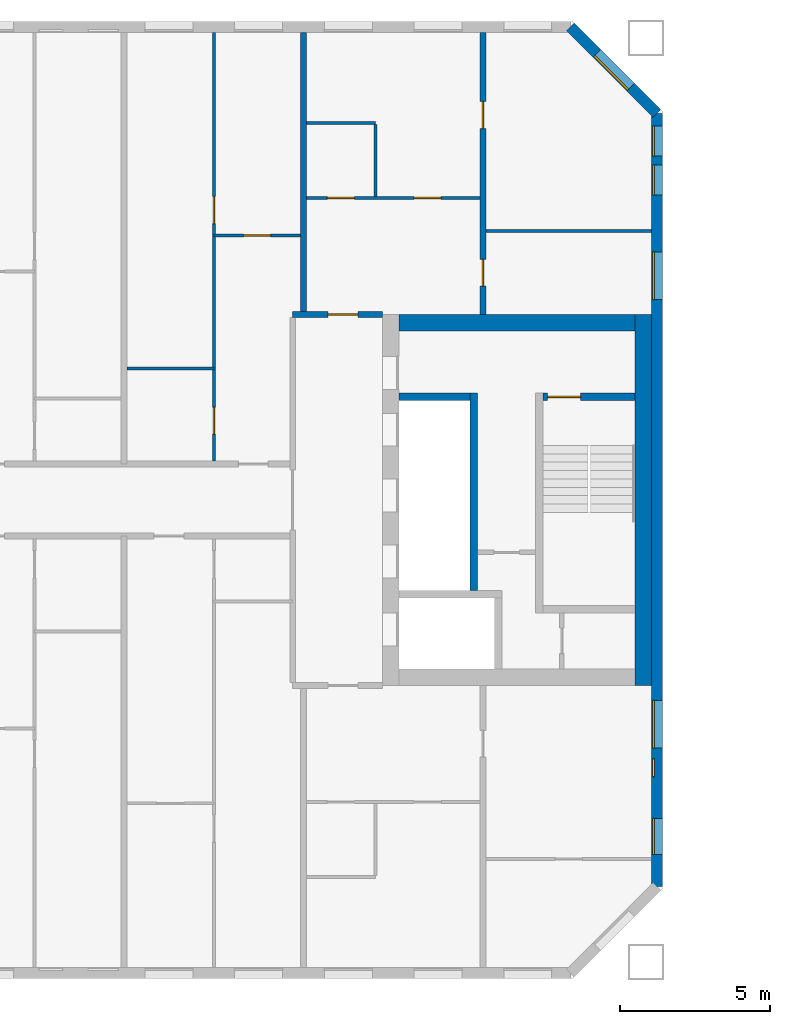
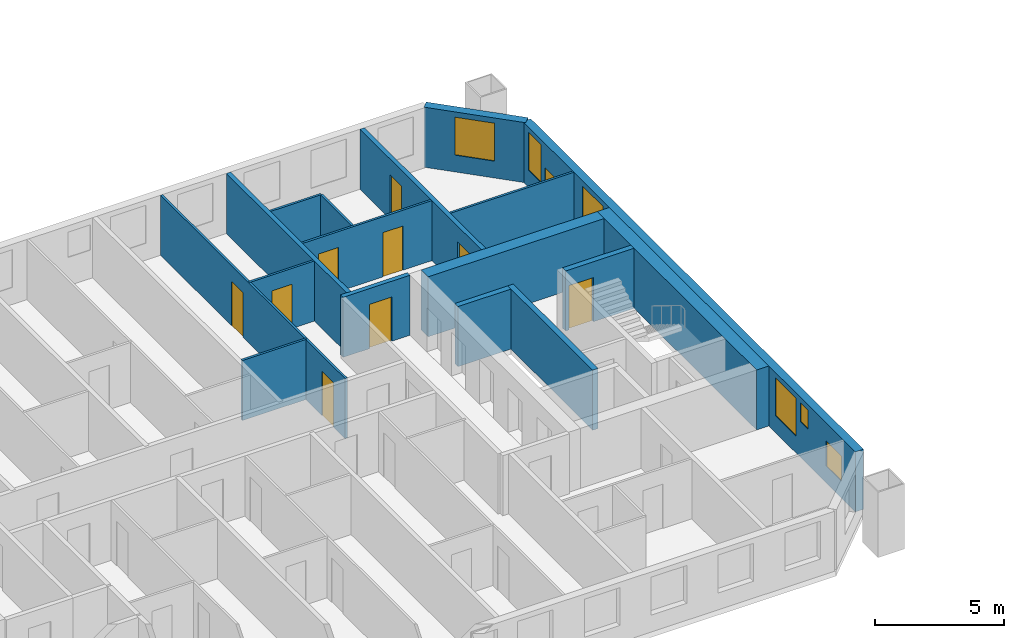
# One storey, part 8 of 16: 17 walls, 9 doors, 7 windows, 16 openings.
"""IFC4 building model written with IfcOpenShell, lengths in metres."""

from ifc_helpers import new_model, si_unit, direction, frame, frame_2d, origin, place, context, subcontext, project, spatial, rectangle, extrude, material, layer, layer_set, type_object, element, fill, save


model = new_model("IFC4")

# Units and contexts
model_context = context("Model", 3, precision=1e-05, world=origin(), true_north=direction((0.0, 1.0)))
body_context = subcontext(model_context, "Body", "Model", "MODEL_VIEW")
ifc_project = project(units=[si_unit("LENGTHUNIT", "METRE"), si_unit("AREAUNIT", "SQUARE_METRE"), si_unit("VOLUMEUNIT", "CUBIC_METRE"), si_unit("PLANEANGLEUNIT", "RADIAN"), si_unit("MASSUNIT", "GRAM", prefix="KILO")], contexts=[model_context])

# Site, building, storey
site_placement = place(None, origin())
site = spatial("IfcSite", under=ifc_project, at=site_placement, CompositionType="ELEMENT")
building_placement = place(site_placement, origin())
building = spatial("IfcBuilding", under=site, at=building_placement, Name="Tuart Gate Housing", CompositionType="ELEMENT")
storey_placement = place(building_placement, frame((0.0, 0.0, 136.10009765625)))
storey = spatial("IfcBuildingStorey", under=building, at=storey_placement, Name="L38", CompositionType="ELEMENT", Elevation=136.10009765625)

# Wall, openings, windows
ifc_material_1 = material(Name="Brick", Category="masonry")
ifc_layer_1 = layer(ifc_material_1, 0.360107421875)
ifc_layer_set_1 = layer_set([ifc_layer_1], Name="Brick pier and spandrel wall 360")
wall_type_1 = type_object("IfcWallType", Name="Brick pier and spandrel wall 360", PredefinedType="STANDARD", material=ifc_layer_set_1)
wall_1_placement = place(storey_placement, frame((75.820068359375, 57.07470703125, 0.0), z_axis=(0.0, 0.0, 1.0), x_axis=(0.0, 1.0, 0.0)))
wall_1 = element("IfcWall", 1, at=wall_1_placement, inside=storey, type_object=wall_type_1, Name="External wall A-E L38", PredefinedType="STANDARD", context=body_context, shape_type="SweptSolid", body=[
    extrude(rectangle(XDim=25.850830078125, YDim=0.360107421875, at=frame_2d((12.92529296875, 0.0))), origin(), (0.0, 0.0, 1.0), 2.849853515625),
])
opening_1_placement = place(wall_1_placement, frame((1.075439453125, 0.0, 0.800048828125)))
opening_1 = element("IfcOpeningElement", 2, at=opening_1_placement, cuts=wall_1, Name="Opening W1N", PredefinedType="OPENING", context=body_context, shape_type="SweptSolid", body=[
    extrude(rectangle(XDim=1.199951171875, YDim=1.199951171875, at=frame_2d((0.60009765625, 0.60009765625))), frame((0.0, 0.18994140625, 0.0), z_axis=(0.0, -1.0, 0.0), x_axis=(1.0, 0.0, 0.0)), (0.0, 0.0, 1.0), 0.380126953125),
])
opening_2_placement = place(wall_1_placement, frame((4.62548828125, 0.0, 0.800048828125)))
opening_2 = element("IfcOpeningElement", 3, at=opening_2_placement, cuts=wall_1, Name="Opening W1", PredefinedType="OPENING", context=body_context, shape_type="SweptSolid", body=[
    extrude(rectangle(XDim=1.60009765625, YDim=1.800048828125, at=frame_2d((0.800048828125, 0.89990234375))), frame((0.0, 0.18994140625, 0.0), z_axis=(0.0, -1.0, 0.0), x_axis=(1.0, 0.0, 0.0)), (0.0, 0.0, 1.0), 0.380126953125),
])
opening_3_placement = place(wall_1_placement, frame((19.62548828125, 0.0, 0.800048828125)))
opening_3 = element("IfcOpeningElement", 4, at=opening_3_placement, cuts=wall_1, Name="Opening W1", PredefinedType="OPENING", context=body_context, shape_type="SweptSolid", body=[
    extrude(rectangle(XDim=1.60009765625, YDim=1.800048828125, at=frame_2d((0.800048828125, 0.89990234375))), frame((0.0, 0.18994140625, 0.0), z_axis=(0.0, -1.0, 0.0), x_axis=(1.0, 0.0, 0.0)), (0.0, 0.0, 1.0), 0.380126953125),
])
opening_4_placement = place(wall_1_placement, frame((23.12548828125, 0.0, 0.800048828125)))
opening_4 = element("IfcOpeningElement", 5, at=opening_4_placement, cuts=wall_1, Name="Opening W1U", PredefinedType="OPENING", context=body_context, shape_type="SweptSolid", body=[
    extrude(rectangle(XDim=1.0, YDim=0.89990234375, at=frame_2d((0.5, 0.449951171875))), frame((0.0, 0.18994140625, 0.0), z_axis=(0.0, -1.0, 0.0), x_axis=(1.0, 0.0, 0.0)), (0.0, 0.0, 1.0), 0.380126953125),
])
opening_5_placement = place(wall_1_placement, frame((3.67529296875, 0.0, 1.699951171875)))
opening_5 = element("IfcOpeningElement", 6, at=opening_5_placement, cuts=wall_1, Name="Opening W1W", PredefinedType="OPENING", context=body_context, shape_type="SweptSolid", body=[
    extrude(rectangle(XDim=0.60009765625, YDim=0.89990234375, at=frame_2d((0.300048828125, 0.449951171875))), frame((0.0, 0.18994140625, 0.0), z_axis=(0.0, -1.0, 0.0), x_axis=(1.0, 0.0, 0.0)), (0.0, 0.0, 1.0), 0.380126953125),
])
opening_6_placement = place(wall_1_placement, frame((24.42529296875, 0.0, 0.800048828125)))
opening_6 = element("IfcOpeningElement", 7, at=opening_6_placement, cuts=wall_1, Name="Opening W1C", PredefinedType="OPENING", context=body_context, shape_type="SweptSolid", body=[
    extrude(rectangle(XDim=1.0, YDim=1.800048828125, at=frame_2d((0.5, 0.89990234375))), frame((0.0, 0.18994140625, 0.0), z_axis=(0.0, -1.0, 0.0), x_axis=(1.0, 0.0, 0.0)), (0.0, 0.0, 1.0), 0.380126953125),
])
ifc_material_2 = material(Name="Aluminium frame with clear glass", Category="aluminium")
window_type_1 = type_object("IfcWindowType", Name="Punched window 1000 x 1800", PartitioningType="SINGLE_PANEL", PredefinedType="WINDOW", material=ifc_material_2)
window_1_placement = place(opening_6_placement, origin())
window_1 = element("IfcWindow", 8, at=window_1_placement, inside=storey, type_object=window_type_1, Name="Window W1C", OverallHeight=1.800048828125, OverallWidth=1.0, PartitioningType="SINGLE_PANEL", PredefinedType="WINDOW", context=body_context, shape_type="SweptSolid", body=[
    extrude(rectangle(XDim=1.0, YDim=1.800048828125, at=frame_2d((0.5, 0.89990234375))), frame((0.0, 0.150146484375, 0.0), z_axis=(0.0, -1.0, 0.0), x_axis=(1.0, 0.0, 0.0)), (0.0, 0.0, 1.0), 0.06005859375),
])
fill(opening_6, window_1)
ifc_material_3 = material(Name="Aluminium frame with clear glass", Category="aluminium")
window_type_2 = type_object("IfcWindowType", Name="Punched window 1000 x 900", PartitioningType="SINGLE_PANEL", PredefinedType="WINDOW", material=ifc_material_3)
window_2_placement = place(opening_4_placement, origin())
window_2 = element("IfcWindow", 9, at=window_2_placement, inside=storey, type_object=window_type_2, Name="Window W1U", OverallHeight=0.89990234375, OverallWidth=1.0, PartitioningType="SINGLE_PANEL", PredefinedType="WINDOW", context=body_context, shape_type="SweptSolid", body=[
    extrude(rectangle(XDim=1.0, YDim=0.89990234375, at=frame_2d((0.5, 0.449951171875))), frame((0.0, 0.150146484375, 0.0), z_axis=(0.0, -1.0, 0.0), x_axis=(1.0, 0.0, 0.0)), (0.0, 0.0, 1.0), 0.06005859375),
])
fill(opening_4, window_2)
ifc_material_4 = material(Name="Aluminium frame with clear glass", Category="aluminium")
window_type_3 = type_object("IfcWindowType", Name="Punched window 1200 x 1200", PartitioningType="SINGLE_PANEL", PredefinedType="WINDOW", material=ifc_material_4)
window_3_placement = place(opening_1_placement, origin())
window_3 = element("IfcWindow", 10, at=window_3_placement, inside=storey, type_object=window_type_3, Name="Window W1N", OverallHeight=1.199951171875, OverallWidth=1.199951171875, PartitioningType="SINGLE_PANEL", PredefinedType="WINDOW", context=body_context, shape_type="SweptSolid", body=[
    extrude(rectangle(XDim=1.199951171875, YDim=1.199951171875, at=frame_2d((0.60009765625, 0.60009765625))), frame((0.0, 0.150146484375, 0.0), z_axis=(0.0, -1.0, 0.0), x_axis=(1.0, 0.0, 0.0)), (0.0, 0.0, 1.0), 0.06005859375),
])
fill(opening_1, window_3)
ifc_material_5 = material(Name="Aluminium frame with clear glass", Category="aluminium")
window_type_4 = type_object("IfcWindowType", Name="Punched window 1600 x 1800", PartitioningType="SINGLE_PANEL", PredefinedType="WINDOW", material=ifc_material_5)
window_4_placement = place(opening_2_placement, origin())
window_4 = element("IfcWindow", 11, at=window_4_placement, inside=storey, type_object=window_type_4, Name="Window W1", OverallHeight=1.800048828125, OverallWidth=1.60009765625, PartitioningType="SINGLE_PANEL", PredefinedType="WINDOW", context=body_context, shape_type="SweptSolid", body=[
    extrude(rectangle(XDim=1.60009765625, YDim=1.800048828125, at=frame_2d((0.800048828125, 0.89990234375))), frame((0.0, 0.150146484375, 0.0), z_axis=(0.0, -1.0, 0.0), x_axis=(1.0, 0.0, 0.0)), (0.0, 0.0, 1.0), 0.06005859375),
])
fill(opening_2, window_4)
window_5_placement = place(opening_3_placement, origin())
window_5 = element("IfcWindow", 12, at=window_5_placement, inside=storey, type_object=window_type_4, Name="Window W1", OverallHeight=1.800048828125, OverallWidth=1.60009765625, PartitioningType="SINGLE_PANEL", PredefinedType="WINDOW", context=body_context, shape_type="SweptSolid", body=[
    extrude(rectangle(XDim=1.60009765625, YDim=1.800048828125, at=frame_2d((0.800048828125, 0.89990234375))), frame((0.0, 0.150146484375, 0.0), z_axis=(0.0, -1.0, 0.0), x_axis=(1.0, 0.0, 0.0)), (0.0, 0.0, 1.0), 0.06005859375),
])
fill(opening_3, window_5)
ifc_material_6 = material(Name="Aluminium frame with clear glass", Category="aluminium")
window_type_5 = type_object("IfcWindowType", Name="Punched window 600 x 900", PartitioningType="SINGLE_PANEL", PredefinedType="WINDOW", material=ifc_material_6)
window_6_placement = place(opening_5_placement, origin())
window_6 = element("IfcWindow", 13, at=window_6_placement, inside=storey, type_object=window_type_5, Name="Window W1W", OverallHeight=0.89990234375, OverallWidth=0.60009765625, PartitioningType="SINGLE_PANEL", PredefinedType="WINDOW", context=body_context, shape_type="SweptSolid", body=[
    extrude(rectangle(XDim=0.60009765625, YDim=0.89990234375, at=frame_2d((0.300048828125, 0.449951171875))), frame((0.0, 0.150146484375, 0.0), z_axis=(0.0, -1.0, 0.0), x_axis=(1.0, 0.0, 0.0)), (0.0, 0.0, 1.0), 0.06005859375),
])
fill(opening_5, window_6)

# Wall, opening, window
wall_2_placement = place(storey_placement, frame((75.820068359375, 82.92529296875, 0.0), z_axis=(0.0, 0.0, 1.0), x_axis=(-0.707106781187, 0.707106781187, 0.0)))
wall_2 = element("IfcWall", 14, at=wall_2_placement, inside=storey, type_object=wall_type_1, Name="External wall A-NE L38", PredefinedType="STANDARD", context=body_context, shape_type="SweptSolid", body=[
    extrude(rectangle(XDim=4.09375, YDim=0.360107421875, at=frame_2d((2.046875, 0.0))), origin(), (0.0, 0.0, 1.0), 2.849853515625),
])
opening_7_placement = place(wall_2_placement, frame((1.2470703125, 0.0, 0.800048828125)))
opening_7 = element("IfcOpeningElement", 15, at=opening_7_placement, cuts=wall_2, Name="Opening W1", PredefinedType="OPENING", context=body_context, shape_type="SweptSolid", body=[
    extrude(rectangle(XDim=1.60009765625, YDim=1.800048828125, at=frame_2d((0.800048828125, 0.89990234375))), frame((0.0, 0.18994140625, 0.0), z_axis=(0.0, -1.0, 0.0), x_axis=(1.0, 0.0, 0.0)), (0.0, 0.0, 1.0), 0.380126953125),
])
window_7_placement = place(opening_7_placement, origin())
window_7 = element("IfcWindow", 16, at=window_7_placement, inside=storey, type_object=window_type_4, Name="Window W1", OverallHeight=1.800048828125, OverallWidth=1.60009765625, PartitioningType="SINGLE_PANEL", PredefinedType="WINDOW", context=body_context, shape_type="SweptSolid", body=[
    extrude(rectangle(XDim=1.60009765625, YDim=1.800048828125, at=frame_2d((0.800048828125, 0.89990234375))), frame((0.0, 0.150146484375, 0.0), z_axis=(0.0, -1.0, 0.0), x_axis=(1.0, 0.0, 0.0)), (0.0, 0.0, 1.0), 0.06005859375),
])
fill(opening_7, window_7)

# Wall
ifc_material_7 = material(Name="Concrete C50", Category="concrete")
ifc_layer_2 = layer(ifc_material_7, 0.25)
ifc_layer_set_2 = layer_set([ifc_layer_2], Name="Core wall 250 C50")
wall_type_2 = type_object("IfcWallType", Name="Core wall 250 C50", PredefinedType="SHEAR", material=ifc_layer_set_2)
wall_3_placement = place(storey_placement, frame((67.18994140625, 73.449951171875, 0.0), z_axis=(0.0, 0.0, 1.0), x_axis=(1.0, 0.0, 0.0)))
element("IfcWall", 17, at=wall_3_placement, inside=storey, type_object=wall_type_2, Name="Core wall AG.4", PredefinedType="SHEAR", context=body_context, shape_type="SweptSolid", body=[
    extrude(rectangle(XDim=2.375, YDim=0.25, at=frame_2d((1.1875, 0.0))), origin(), (0.0, 0.0, 1.0), 2.849853515625),
])

# Wall, opening, door
wall_4_placement = place(storey_placement, frame((72.014892578125, 73.449951171875, 0.0), z_axis=(0.0, 0.0, 1.0), x_axis=(1.0, 0.0, 0.0)))
wall_4 = element("IfcWall", 18, at=wall_4_placement, inside=storey, type_object=wall_type_2, Name="Core wall AG.5", PredefinedType="SHEAR", context=body_context, shape_type="SweptSolid", body=[
    extrude(rectangle(XDim=3.0751953125, YDim=0.25, at=frame_2d((1.53759765625, 0.0))), origin(), (0.0, 0.0, 1.0), 2.849853515625),
])
opening_8_placement = place(wall_4_placement, frame((0.14990234375, 0.0, 0.0)))
opening_8 = element("IfcOpeningElement", 19, at=opening_8_placement, cuts=wall_4, Name="Opening D1423", PredefinedType="OPENING", context=body_context, shape_type="SweptSolid", body=[
    extrude(rectangle(XDim=1.10009765625, YDim=2.10009765625, at=frame_2d((0.550048828125, 1.050048828125))), frame((0.0, 0.135009765625, 0.0), z_axis=(0.0, -1.0, 0.0), x_axis=(1.0, 0.0, 0.0)), (0.0, 0.0, 1.0), 0.27001953125),
])
ifc_material_8 = material(Name="Steel fire door", Category="steel")
door_type_1 = type_object("IfcDoorType", Name="Stair door 1100 x 2100 RH", OperationType="SINGLE_SWING_RIGHT", PredefinedType="DOOR", material=ifc_material_8)
door_1_placement = place(opening_8_placement, frame((1.10009765625, 0.0, 0.0), z_axis=(0.0, 0.0, 1.0), x_axis=(-1.0, 0.0, 0.0)))
door_1 = element("IfcDoor", 20, at=door_1_placement, inside=storey, type_object=door_type_1, Name="Stair door AG.SD", OperationType="SINGLE_SWING_RIGHT", OverallHeight=2.10009765625, OverallWidth=1.10009765625, PredefinedType="DOOR", context=body_context, shape_type="SweptSolid", body=[
    extrude(rectangle(XDim=1.10009765625, YDim=2.10009765625, at=frame_2d((0.550048828125, 1.050048828125))), frame((0.0, 0.025146484375, 0.0), z_axis=(0.0, -1.0, 0.0), x_axis=(1.0, 0.0, 0.0)), (0.0, 0.0, 1.0), 0.050048828125),
])
fill(opening_8, door_1)

# Walls
wall_5_placement = place(storey_placement, frame((69.68994140625, 66.97509765625, 0.0), z_axis=(0.0, 0.0, 1.0), x_axis=(0.0, 1.0, 0.0)))
element("IfcWall", 21, at=wall_5_placement, inside=storey, type_object=wall_type_2, Name="Core wall AG.6", PredefinedType="SHEAR", context=body_context, shape_type="SweptSolid", body=[
    extrude(rectangle(XDim=6.599853515625, YDim=0.25, at=frame_2d((3.2998046875, 0.0))), origin(), (0.0, 0.0, 1.0), 2.849853515625),
])
ifc_material_9 = material(Name="Concrete C50", Category="concrete")
ifc_layer_3 = layer(ifc_material_9, 0.550048828125)
ifc_layer_set_3 = layer_set([ifc_layer_3], Name="Core wall 550 C50")
wall_type_3 = type_object("IfcWallType", Name="Core wall 550 C50", PredefinedType="SHEAR", material=ifc_layer_set_3)
wall_6_placement = place(storey_placement, frame((75.364990234375, 63.800048828125, 0.0), z_axis=(0.0, 0.0, 1.0), x_axis=(0.0, 1.0, 0.0)))
element("IfcWall", 22, at=wall_6_placement, inside=storey, type_object=wall_type_3, Name="Core wall AG back", PredefinedType="SHEAR", context=body_context, shape_type="SweptSolid", body=[
    extrude(rectangle(XDim=12.39990234375, YDim=0.550048828125, at=frame_2d((6.199951171875, 0.0))), origin(), (0.0, 0.0, 1.0), 2.849853515625),
])
wall_7_placement = place(storey_placement, frame((67.18994140625, 75.925048828125, 0.0), z_axis=(0.0, 0.0, 1.0), x_axis=(1.0, 0.0, 0.0)))
element("IfcWall", 23, at=wall_7_placement, inside=storey, type_object=wall_type_3, Name="Core wall AG north", PredefinedType="SHEAR", context=body_context, shape_type="SweptSolid", body=[
    extrude(rectangle(XDim=7.900146484375, YDim=0.550048828125, at=frame_2d((3.9501953125, 0.0))), origin(), (0.0, 0.0, 1.0), 2.849853515625),
])

# Wall, opening, door
ifc_material_10 = material(Name="Concrete masonry 15 MPa", Category="masonry")
ifc_layer_4 = layer(ifc_material_10, 0.199951171875)
ifc_layer_set_4 = layer_set([ifc_layer_4], Name="Enclosure wall masonry 200")
wall_type_4 = type_object("IfcWallType", Name="Enclosure wall masonry 200", PredefinedType="PARTITIONING", material=ifc_layer_set_4)
wall_8_placement = place(storey_placement, frame((63.639892578125, 76.199951171875, 0.0), z_axis=(0.0, 0.0, 1.0), x_axis=(1.0, 0.0, 0.0)))
wall_8 = element("IfcWall", 24, at=wall_8_placement, inside=storey, type_object=wall_type_4, Name="Enclosure wall masonry 200", PredefinedType="PARTITIONING", context=body_context, shape_type="SweptSolid", body=[
    extrude(rectangle(XDim=3.0, YDim=0.199951171875, at=frame_2d((1.5, 0.0))), origin(), (0.0, 0.0, 1.0), 2.849853515625),
])
opening_9_placement = place(wall_8_placement, frame((1.179931640625, 0.0, 0.0)))
opening_9 = element("IfcOpeningElement", 25, at=opening_9_placement, cuts=wall_8, Name="Opening D1422", PredefinedType="OPENING", context=body_context, shape_type="SweptSolid", body=[
    extrude(rectangle(XDim=1.0, YDim=2.10009765625, at=frame_2d((0.5, 1.050048828125))), frame((0.0, 0.10986328125, 0.0), z_axis=(0.0, -1.0, 0.0), x_axis=(1.0, 0.0, 0.0)), (0.0, 0.0, 1.0), 0.219970703125),
])
ifc_material_11 = material(Name="Timber door leaf in steel frame", Category="steel")
door_type_2 = type_object("IfcDoorType", Name="Flat entrance door 1000", OperationType="SINGLE_SWING_LEFT", PredefinedType="DOOR", material=ifc_material_11)
door_2_placement = place(opening_9_placement, origin())
door_2 = element("IfcDoor", 26, at=door_2_placement, inside=storey, type_object=door_type_2, Name="Flat entrance door", OperationType="SINGLE_SWING_LEFT", OverallHeight=2.10009765625, OverallWidth=1.0, PredefinedType="DOOR", context=body_context, shape_type="SweptSolid", body=[
    extrude(rectangle(XDim=1.0, YDim=2.10009765625, at=frame_2d((0.5, 1.050048828125))), frame((0.0, 0.02490234375, 0.0), z_axis=(0.0, -1.0, 0.0), x_axis=(1.0, 0.0, 0.0)), (0.0, 0.0, 1.0), 0.050048828125),
])
fill(opening_9, door_2)

# Wall
ifc_material_12 = material(Name="Gypsum board on steel studs", Category="steel")
ifc_layer_5 = layer(ifc_material_12, 0.10009765625)
ifc_layer_set_5 = layer_set([ifc_layer_5], Name="Partition 100")
wall_type_5 = type_object("IfcWallType", Name="Partition 100", PredefinedType="PARTITIONING", material=ifc_layer_set_5)
wall_9_placement = place(storey_placement, frame((58.10009765625, 74.39990234375, 0.0), z_axis=(0.0, 0.0, 1.0), x_axis=(1.0, 0.0, 0.0)))
element("IfcWall", 27, at=wall_9_placement, inside=storey, type_object=wall_type_5, Name="Partition 100", PredefinedType="PARTITIONING", context=body_context, shape_type="SweptSolid", body=[
    extrude(rectangle(XDim=2.89990234375, YDim=0.10009765625, at=frame_2d((1.449951171875, 0.0))), origin(), (0.0, 0.0, 1.0), 2.849853515625),
])

# Wall, opening, door
wall_10_placement = place(storey_placement, frame((61.0, 78.840087890625, 0.0), z_axis=(0.0, 0.0, 1.0), x_axis=(1.0, 0.0, 0.0)))
wall_10 = element("IfcWall", 28, at=wall_10_placement, inside=storey, type_object=wall_type_5, Name="Partition 100", PredefinedType="PARTITIONING", context=body_context, shape_type="SweptSolid", body=[
    extrude(rectangle(XDim=2.89990234375, YDim=0.10009765625, at=frame_2d((1.449951171875, 0.0))), origin(), (0.0, 0.0, 1.0), 2.849853515625),
])
opening_10_placement = place(wall_10_placement, frame((1.0, 0.0, 0.0)))
opening_10 = element("IfcOpeningElement", 29, at=opening_10_placement, cuts=wall_10, Name="Opening D1410", PredefinedType="OPENING", context=body_context, shape_type="SweptSolid", body=[
    extrude(rectangle(XDim=0.89990234375, YDim=2.10009765625, at=frame_2d((0.449951171875, 1.050048828125))), frame((0.0, 0.06005859375, 0.0), z_axis=(0.0, -1.0, 0.0), x_axis=(1.0, 0.0, 0.0)), (0.0, 0.0, 1.0), 0.1201171875),
])
ifc_material_13 = material(Name="Timber door leaf in steel frame", Category="steel")
door_type_3 = type_object("IfcDoorType", Name="Internal door 900 RH", OperationType="SINGLE_SWING_RIGHT", PredefinedType="DOOR", material=ifc_material_13)
door_3_placement = place(opening_10_placement, frame((0.89990234375, 0.0, 0.0), z_axis=(0.0, 0.0, 1.0), x_axis=(-1.0, 0.0, 0.0)))
door_3 = element("IfcDoor", 30, at=door_3_placement, inside=storey, type_object=door_type_3, Name="Internal door", OperationType="SINGLE_SWING_RIGHT", OverallHeight=2.10009765625, OverallWidth=0.89990234375, PredefinedType="DOOR", context=body_context, shape_type="SweptSolid", body=[
    extrude(rectangle(XDim=0.89990234375, YDim=2.10009765625, at=frame_2d((0.449951171875, 1.050048828125))), frame((0.0, 0.025146484375, 0.0), z_axis=(0.0, -1.0, 0.0), x_axis=(1.0, 0.0, 0.0)), (0.0, 0.0, 1.0), 0.050048828125),
])
fill(opening_10, door_3)

# Wall
wall_11_placement = place(storey_placement, frame((70.10009765625, 79.0, 0.0), z_axis=(0.0, 0.0, 1.0), x_axis=(1.0, 0.0, 0.0)))
element("IfcWall", 31, at=wall_11_placement, inside=storey, type_object=wall_type_5, Name="Partition 100", PredefinedType="PARTITIONING", context=body_context, shape_type="SweptSolid", body=[
    extrude(rectangle(XDim=5.539794921875, YDim=0.10009765625, at=frame_2d((2.77001953125, 0.0))), origin(), (0.0, 0.0, 1.0), 2.849853515625),
])

# Wall, openings, doors
wall_12_placement = place(storey_placement, frame((64.10009765625, 80.10009765625, 0.0), z_axis=(0.0, 0.0, 1.0), x_axis=(1.0, 0.0, 0.0)))
wall_12 = element("IfcWall", 32, at=wall_12_placement, inside=storey, type_object=wall_type_5, Name="Partition 100", PredefinedType="PARTITIONING", context=body_context, shape_type="SweptSolid", body=[
    extrude(rectangle(XDim=5.7998046875, YDim=0.10009765625, at=frame_2d((2.89990234375, 0.0))), origin(), (0.0, 0.0, 1.0), 2.849853515625),
])
opening_11_placement = place(wall_12_placement, frame((3.60009765625, 0.0, 0.0)))
opening_11 = element("IfcOpeningElement", 33, at=opening_11_placement, cuts=wall_12, Name="Opening D1408", PredefinedType="OPENING", context=body_context, shape_type="SweptSolid", body=[
    extrude(rectangle(XDim=0.89990234375, YDim=2.10009765625, at=frame_2d((0.449951171875, 1.050048828125))), frame((0.0, 0.06005859375, 0.0), z_axis=(0.0, -1.0, 0.0), x_axis=(1.0, 0.0, 0.0)), (0.0, 0.0, 1.0), 0.1201171875),
])
opening_12_placement = place(wall_12_placement, frame((0.699951171875, 0.0, 0.0)))
opening_12 = element("IfcOpeningElement", 34, at=opening_12_placement, cuts=wall_12, Name="Opening D1407", PredefinedType="OPENING", context=body_context, shape_type="SweptSolid", body=[
    extrude(rectangle(XDim=0.89990234375, YDim=2.10009765625, at=frame_2d((0.449951171875, 1.050048828125))), frame((0.0, 0.06005859375, 0.0), z_axis=(0.0, -1.0, 0.0), x_axis=(1.0, 0.0, 0.0)), (0.0, 0.0, 1.0), 0.1201171875),
])
ifc_material_14 = material(Name="Timber door leaf in steel frame", Category="steel")
door_type_4 = type_object("IfcDoorType", Name="Bathroom door 900 RH", OperationType="SINGLE_SWING_RIGHT", PredefinedType="DOOR", material=ifc_material_14)
door_4_placement = place(opening_12_placement, origin())
door_4 = element("IfcDoor", 35, at=door_4_placement, inside=storey, type_object=door_type_4, Name="Bathroom door", OperationType="SINGLE_SWING_RIGHT", OverallHeight=2.10009765625, OverallWidth=0.89990234375, PredefinedType="DOOR", context=body_context, shape_type="SweptSolid", body=[
    extrude(rectangle(XDim=0.89990234375, YDim=2.10009765625, at=frame_2d((0.449951171875, 1.050048828125))), frame((0.0, 0.02490234375, 0.0), z_axis=(0.0, -1.0, 0.0), x_axis=(1.0, 0.0, 0.0)), (0.0, 0.0, 1.0), 0.050048828125),
])
fill(opening_12, door_4)
ifc_material_15 = material(Name="Timber door leaf in steel frame", Category="steel")
door_type_5 = type_object("IfcDoorType", Name="Internal door 900", OperationType="SINGLE_SWING_LEFT", PredefinedType="DOOR", material=ifc_material_15)
door_5_placement = place(opening_11_placement, frame((0.89990234375, 0.0, 0.0), z_axis=(0.0, 0.0, 1.0), x_axis=(-1.0, 0.0, 0.0)))
door_5 = element("IfcDoor", 36, at=door_5_placement, inside=storey, type_object=door_type_5, Name="Internal door", OperationType="SINGLE_SWING_LEFT", OverallHeight=2.10009765625, OverallWidth=0.89990234375, PredefinedType="DOOR", context=body_context, shape_type="SweptSolid", body=[
    extrude(rectangle(XDim=0.89990234375, YDim=2.10009765625, at=frame_2d((0.449951171875, 1.050048828125))), frame((0.0, 0.025146484375, 0.0), z_axis=(0.0, -1.0, 0.0), x_axis=(1.0, 0.0, 0.0)), (0.0, 0.0, 1.0), 0.050048828125),
])
fill(opening_11, door_5)

# Wall
wall_13_placement = place(storey_placement, frame((64.10009765625, 82.60009765625, 0.0), z_axis=(0.0, 0.0, 1.0), x_axis=(1.0, 0.0, 0.0)))
element("IfcWall", 37, at=wall_13_placement, inside=storey, type_object=wall_type_5, Name="Partition 100", PredefinedType="PARTITIONING", context=body_context, shape_type="SweptSolid", body=[
    extrude(rectangle(XDim=2.2998046875, YDim=0.10009765625, at=frame_2d((1.14990234375, 0.0))), origin(), (0.0, 0.0, 1.0), 2.849853515625),
])

# Wall, openings, doors
wall_14_placement = place(storey_placement, frame((61.0, 71.300048828125, 0.0), z_axis=(0.0, 0.0, 1.0), x_axis=(0.0, 1.0, 0.0)))
wall_14 = element("IfcWall", 38, at=wall_14_placement, inside=storey, type_object=wall_type_5, Name="Partition 100", PredefinedType="PARTITIONING", context=body_context, shape_type="SweptSolid", body=[
    extrude(rectangle(XDim=14.33984375, YDim=0.10009765625, at=frame_2d((7.169921875, 0.0))), origin(), (0.0, 0.0, 1.0), 2.849853515625),
])
opening_13_placement = place(wall_14_placement, frame((7.93994140625, 0.0, 0.0)))
opening_13 = element("IfcOpeningElement", 39, at=opening_13_placement, cuts=wall_14, Name="Opening D1419", PredefinedType="OPENING", context=body_context, shape_type="SweptSolid", body=[
    extrude(rectangle(XDim=0.89990234375, YDim=2.10009765625, at=frame_2d((0.449951171875, 1.050048828125))), frame((0.0, 0.06005859375, 0.0), z_axis=(0.0, -1.0, 0.0), x_axis=(1.0, 0.0, 0.0)), (0.0, 0.0, 1.0), 0.1201171875),
])
opening_14_placement = place(wall_14_placement, frame((0.89990234375, 0.0, 0.0)))
opening_14 = element("IfcOpeningElement", 40, at=opening_14_placement, cuts=wall_14, Name="Opening D1418", PredefinedType="OPENING", context=body_context, shape_type="SweptSolid", body=[
    extrude(rectangle(XDim=0.89990234375, YDim=2.10009765625, at=frame_2d((0.449951171875, 1.050048828125))), frame((0.0, 0.06005859375, 0.0), z_axis=(0.0, -1.0, 0.0), x_axis=(1.0, 0.0, 0.0)), (0.0, 0.0, 1.0), 0.1201171875),
])
ifc_material_16 = material(Name="Timber door leaf in steel frame", Category="steel")
door_type_6 = type_object("IfcDoorType", Name="Bathroom door 900", OperationType="SINGLE_SWING_LEFT", PredefinedType="DOOR", material=ifc_material_16)
door_6_placement = place(opening_14_placement, origin())
door_6 = element("IfcDoor", 41, at=door_6_placement, inside=storey, type_object=door_type_6, Name="Bathroom door", OperationType="SINGLE_SWING_LEFT", OverallHeight=2.10009765625, OverallWidth=0.89990234375, PredefinedType="DOOR", context=body_context, shape_type="SweptSolid", body=[
    extrude(rectangle(XDim=0.89990234375, YDim=2.10009765625, at=frame_2d((0.449951171875, 1.050048828125))), frame((0.0, 0.02490234375, 0.0), z_axis=(0.0, -1.0, 0.0), x_axis=(1.0, 0.0, 0.0)), (0.0, 0.0, 1.0), 0.050048828125),
])
fill(opening_14, door_6)
door_7_placement = place(opening_13_placement, origin())
door_7 = element("IfcDoor", 42, at=door_7_placement, inside=storey, type_object=door_type_5, Name="Internal door", OperationType="SINGLE_SWING_LEFT", OverallHeight=2.10009765625, OverallWidth=0.89990234375, PredefinedType="DOOR", context=body_context, shape_type="SweptSolid", body=[
    extrude(rectangle(XDim=0.89990234375, YDim=2.10009765625, at=frame_2d((0.449951171875, 1.050048828125))), frame((0.0, 0.02490234375, 0.0), z_axis=(0.0, -1.0, 0.0), x_axis=(1.0, 0.0, 0.0)), (0.0, 0.0, 1.0), 0.050048828125),
])
fill(opening_13, door_7)

# Walls
wall_15_placement = place(storey_placement, frame((66.39990234375, 80.14990234375, 0.0), z_axis=(0.0, 0.0, 1.0), x_axis=(0.0, 1.0, 0.0)))
element("IfcWall", 43, at=wall_15_placement, inside=storey, type_object=wall_type_5, Name="Partition 100", PredefinedType="PARTITIONING", context=body_context, shape_type="SweptSolid", body=[
    extrude(rectangle(XDim=2.400146484375, YDim=0.10009765625, at=frame_2d((1.2001953125, 0.0))), origin(), (0.0, 0.0, 1.0), 2.849853515625),
])
ifc_material_17 = material(Name="Concrete C40", Category="concrete")
ifc_layer_6 = layer(ifc_material_17, 0.199951171875)
ifc_layer_set_6 = layer_set([ifc_layer_6], Name="Party wall concrete C40 200")
wall_type_6 = type_object("IfcWallType", Name="Party wall concrete C40 200", PredefinedType="SOLIDWALL", material=ifc_layer_set_6)
wall_16_placement = place(storey_placement, frame((64.0, 76.199951171875, 0.0), z_axis=(0.0, 0.0, 1.0), x_axis=(0.0, 1.0, 0.0)))
element("IfcWall", 44, at=wall_16_placement, inside=storey, type_object=wall_type_6, Name="Party wall concrete C40 200", PredefinedType="SOLIDWALL", context=body_context, shape_type="SweptSolid", body=[
    extrude(rectangle(XDim=9.43994140625, YDim=0.199951171875, at=frame_2d((4.719970703125, 0.0))), origin(), (0.0, 0.0, 1.0), 2.849853515625),
])

# Wall, openings, doors
wall_17_placement = place(storey_placement, frame((70.0, 76.199951171875, 0.0), z_axis=(0.0, 0.0, 1.0), x_axis=(0.0, 1.0, 0.0)))
wall_17 = element("IfcWall", 45, at=wall_17_placement, inside=storey, type_object=wall_type_6, Name="Party wall concrete C40 200", PredefinedType="SOLIDWALL", context=body_context, shape_type="SweptSolid", body=[
    extrude(rectangle(XDim=9.43994140625, YDim=0.199951171875, at=frame_2d((4.719970703125, 0.0))), origin(), (0.0, 0.0, 1.0), 2.849853515625),
])
opening_15_placement = place(wall_17_placement, frame((6.219970703125, 0.0, 0.0)))
opening_15 = element("IfcOpeningElement", 46, at=opening_15_placement, cuts=wall_17, Name="Opening D1402", PredefinedType="OPENING", context=body_context, shape_type="SweptSolid", body=[
    extrude(rectangle(XDim=0.89990234375, YDim=2.10009765625, at=frame_2d((0.449951171875, 1.050048828125))), frame((0.0, 0.10986328125, 0.0), z_axis=(0.0, -1.0, 0.0), x_axis=(1.0, 0.0, 0.0)), (0.0, 0.0, 1.0), 0.219970703125),
])
opening_16_placement = place(wall_17_placement, frame((0.949951171875, 0.0, 0.0)))
opening_16 = element("IfcOpeningElement", 47, at=opening_16_placement, cuts=wall_17, Name="Opening D1403", PredefinedType="OPENING", context=body_context, shape_type="SweptSolid", body=[
    extrude(rectangle(XDim=0.89990234375, YDim=2.10009765625, at=frame_2d((0.449951171875, 1.050048828125))), frame((0.0, 0.10986328125, 0.0), z_axis=(0.0, -1.0, 0.0), x_axis=(1.0, 0.0, 0.0)), (0.0, 0.0, 1.0), 0.219970703125),
])
door_8_placement = place(opening_15_placement, frame((0.89990234375, 0.0, 0.0), z_axis=(0.0, 0.0, 1.0), x_axis=(-1.0, 0.0, 0.0)))
door_8 = element("IfcDoor", 48, at=door_8_placement, inside=storey, type_object=door_type_5, Name="Internal door", OperationType="SINGLE_SWING_LEFT", OverallHeight=2.10009765625, OverallWidth=0.89990234375, PredefinedType="DOOR", context=body_context, shape_type="SweptSolid", body=[
    extrude(rectangle(XDim=0.89990234375, YDim=2.10009765625, at=frame_2d((0.449951171875, 1.050048828125))), frame((0.0, 0.025146484375, 0.0), z_axis=(0.0, -1.0, 0.0), x_axis=(1.0, 0.0, 0.0)), (0.0, 0.0, 1.0), 0.050048828125),
])
fill(opening_15, door_8)
door_9_placement = place(opening_16_placement, frame((0.89990234375, 0.0, 0.0), z_axis=(0.0, 0.0, 1.0), x_axis=(-1.0, 0.0, 0.0)))
door_9 = element("IfcDoor", 49, at=door_9_placement, inside=storey, type_object=door_type_3, Name="Internal door", OperationType="SINGLE_SWING_RIGHT", OverallHeight=2.10009765625, OverallWidth=0.89990234375, PredefinedType="DOOR", context=body_context, shape_type="SweptSolid", body=[
    extrude(rectangle(XDim=0.89990234375, YDim=2.10009765625, at=frame_2d((0.449951171875, 1.050048828125))), frame((0.0, 0.025146484375, 0.0), z_axis=(0.0, -1.0, 0.0), x_axis=(1.0, 0.0, 0.0)), (0.0, 0.0, 1.0), 0.050048828125),
])
fill(opening_16, door_9)

save(model, "model.ifc")
